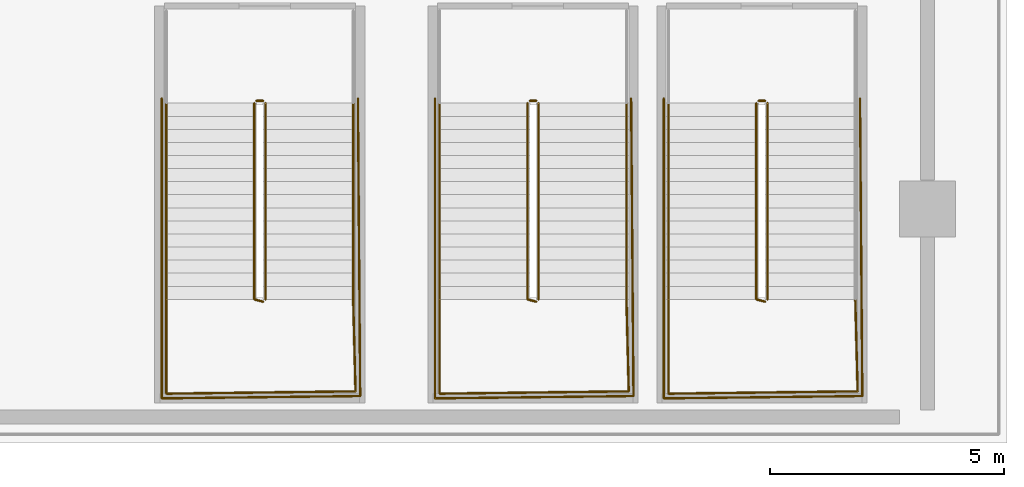
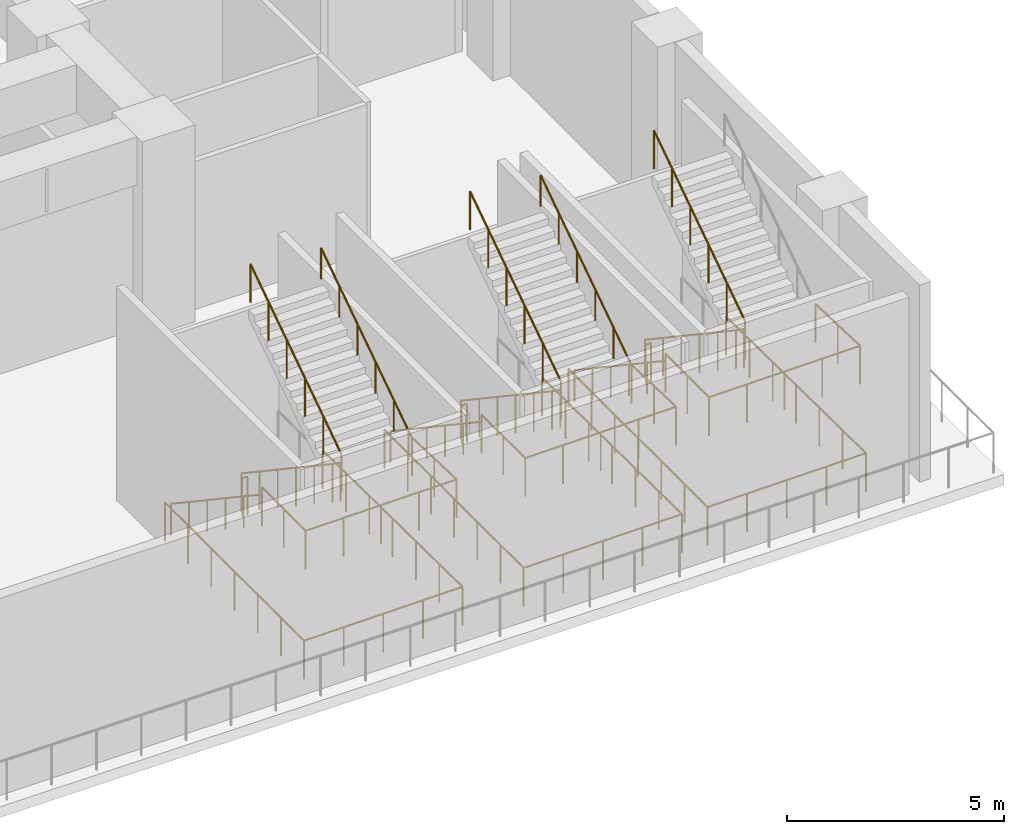
# One storey, part 24 of 27: 20 railings.
"""IFC4 building model written with IfcOpenShell, lengths in metres."""

from ifc_helpers import new_model, si_unit, direction, frame, origin, origin_2d, place, context, subcontext, project, spatial, circle, extrude, material, layer, layer_set, type_object, element, save


model = new_model("IFC4")

# Units and contexts
model_context = context("Model", 3, precision=1e-05, world=origin(), true_north=direction((0.0, 1.0)))
body_context = subcontext(model_context, "Body", "Model", "MODEL_VIEW")
ifc_project = project(units=[si_unit("LENGTHUNIT", "METRE"), si_unit("AREAUNIT", "SQUARE_METRE"), si_unit("VOLUMEUNIT", "CUBIC_METRE"), si_unit("PLANEANGLEUNIT", "RADIAN"), si_unit("MASSUNIT", "GRAM", prefix="KILO")], contexts=[model_context])

# Site, building, storey
site_placement = place(None, origin())
site = spatial("IfcSite", under=ifc_project, at=site_placement, CompositionType="ELEMENT")
building_placement = place(site_placement, origin())
building = spatial("IfcBuilding", under=site, at=building_placement, Name="Ndaravel Arena Tower", CompositionType="ELEMENT")
storey_placement = place(building_placement, frame((0.0, 0.0, 24.0)))
storey = spatial("IfcBuildingStorey", under=building, at=storey_placement, Name="L04", CompositionType="ELEMENT", Elevation=24.0)

# Railings
ifc_material_1 = material(Name="Steel S355", Category="steel")
ifc_layer_1 = layer(ifc_material_1, 0.06005859375)
ifc_layer_set_1 = layer_set([ifc_layer_1], Name="Steel S355")
railing_type_1 = type_object("IfcRailingType", Name="RAIL-STAIR-GD1100", PredefinedType="GUARDRAIL", material=ifc_layer_set_1)
railing_1_placement = place(storey_placement, frame((67.8798828125, 7.27001953125, 0.1875)))
element("IfcRailing", 1, at=railing_1_placement, inside=storey, type_object=railing_type_1, Name="L04 ST-A04 stair guard 1", PredefinedType="GUARDRAIL", context=body_context, shape_type="SweptSolid", body=[
    extrude(circle(Radius=0.02392578125, at=origin_2d()), frame((0.0, 0.0, 1.076171875), z_axis=(0.0, -0.830904186295, 0.556415522067), x_axis=(1.0, 0.0, 0.0)), (0.0, 0.0, 1.0), 5.0546875),
    extrude(circle(Radius=0.02392578125, at=origin_2d()), frame((0.0, -4.199951171875, 3.888671875), z_axis=(0.967074537263, -0.25449329928, 0.0), x_axis=(0.25449329928, 0.967074537263, 0.0)), (0.0, 0.0, 1.0), 0.19677734375),
    extrude(circle(Radius=0.02099609375, at=origin_2d()), origin(), (0.0, 0.0, 1.0), 1.052001953125),
    extrude(circle(Radius=0.02099609375, at=origin_2d()), frame((0.0, -0.840087890625, 0.5625)), (0.0, 0.0, 1.0), 1.052001953125),
    extrude(circle(Radius=0.02099609375, at=origin_2d()), frame((0.0, -1.679931640625, 1.125)), (0.0, 0.0, 1.0), 1.052001953125),
    extrude(circle(Radius=0.02099609375, at=origin_2d()), frame((0.0, -2.52001953125, 1.6875)), (0.0, 0.0, 1.0), 1.052001953125),
    extrude(circle(Radius=0.02099609375, at=origin_2d()), frame((0.0, -3.35986328125, 2.25)), (0.0, 0.0, 1.0), 1.052001953125),
    extrude(circle(Radius=0.02099609375, at=origin_2d()), frame((0.0, -4.199951171875, 2.8125)), (0.0, 0.0, 1.0), 1.052001953125),
    extrude(circle(Radius=0.02099609375, at=origin_2d()), frame((0.190185546875, -4.25, 2.8125)), (0.0, 0.0, 1.0), 1.052001953125),
])
railing_2_placement = place(storey_placement, frame((66.0, 3.070068359375, 3.0)))
element("IfcRailing", 2, at=railing_2_placement, inside=storey, type_object=railing_type_1, Name="L04 ST-A04 stair guard 2", PredefinedType="GUARDRAIL", context=body_context, shape_type="SweptSolid", body=[
    extrude(circle(Radius=0.02392578125, at=origin_2d()), frame((0.0, 0.0, 1.076171875), z_axis=(0.0, -1.0, 0.0), x_axis=(1.0, 0.0, 0.0)), (0.0, 0.0, 1.0), 2.02001953125),
    extrude(circle(Radius=0.02392578125, at=origin_2d()), frame((0.0, -2.02001953125, 1.076171875), z_axis=(0.999923653774, 0.012356642897, 0.0), x_axis=(-0.012356642897, 0.999923653774, 0.0)), (0.0, 0.0, 1.0), 4.05029296875),
    extrude(circle(Radius=0.02392578125, at=origin_2d()), frame((4.050048828125, -1.969970703125, 1.076171875), z_axis=(-0.025397679083, 0.999677426922, 0.0), x_axis=(-0.999677426922, -0.025397679083, 0.0)), (0.0, 0.0, 1.0), 1.970703125),
    extrude(circle(Radius=0.02099609375, at=origin_2d()), origin(), (0.0, 0.0, 1.0), 1.052001953125),
    extrude(circle(Radius=0.02099609375, at=origin_2d()), frame((0.0, -1.010009765625, 0.0)), (0.0, 0.0, 1.0), 1.052001953125),
    extrude(circle(Radius=0.02099609375, at=origin_2d()), frame((0.0, -2.02001953125, 0.0)), (0.0, 0.0, 1.0), 1.052001953125),
    extrude(circle(Radius=0.02099609375, at=origin_2d()), frame((1.012451171875, -2.007568359375, 0.0)), (0.0, 0.0, 1.0), 1.052001953125),
    extrude(circle(Radius=0.02099609375, at=origin_2d()), frame((2.02490234375, -1.9951171875, 0.0)), (0.0, 0.0, 1.0), 1.052001953125),
    extrude(circle(Radius=0.02099609375, at=origin_2d()), frame((3.03759765625, -1.982421875, 0.0)), (0.0, 0.0, 1.0), 1.052001953125),
    extrude(circle(Radius=0.02099609375, at=origin_2d()), frame((4.050048828125, -1.969970703125, 0.0)), (0.0, 0.0, 1.0), 1.052001953125),
    extrude(circle(Radius=0.02099609375, at=origin_2d()), frame((4.02490234375, -0.98486328125, 0.0)), (0.0, 0.0, 1.0), 1.052001953125),
    extrude(circle(Radius=0.02099609375, at=origin_2d()), frame((4.0, 0.0, 0.0)), (0.0, 0.0, 1.0), 1.052001953125),
])
railing_3_placement = place(storey_placement, frame((68.1201171875, 3.070068359375, 3.1875)))
element("IfcRailing", 3, at=railing_3_placement, inside=storey, type_object=railing_type_1, Name="L04 ST-A04 stair guard 3", PredefinedType="GUARDRAIL", context=body_context, shape_type="SweptSolid", body=[
    extrude(circle(Radius=0.02392578125, at=origin_2d()), frame((0.0, 0.0, 1.076171875), z_axis=(0.0, 0.830904186295, 0.556415522067), x_axis=(-1.0, 0.0, 0.0)), (0.0, 0.0, 1.0), 5.0546875),
    extrude(circle(Radius=0.02099609375, at=origin_2d()), origin(), (0.0, 0.0, 1.0), 1.052001953125),
    extrude(circle(Radius=0.02099609375, at=origin_2d()), frame((0.0, 0.840087890625, 0.5625)), (0.0, 0.0, 1.0), 1.052001953125),
    extrude(circle(Radius=0.02099609375, at=origin_2d()), frame((0.0, 1.679931640625, 1.125)), (0.0, 0.0, 1.0), 1.052001953125),
    extrude(circle(Radius=0.02099609375, at=origin_2d()), frame((0.0, 2.52001953125, 1.6875)), (0.0, 0.0, 1.0), 1.052001953125),
    extrude(circle(Radius=0.02099609375, at=origin_2d()), frame((0.0, 3.35986328125, 2.25)), (0.0, 0.0, 1.0), 1.052001953125),
    extrude(circle(Radius=0.02099609375, at=origin_2d()), frame((0.0, 4.199951171875, 2.8125)), (0.0, 0.0, 1.0), 1.052001953125),
])
railing_4_placement = place(storey_placement, frame((67.929931640625, 7.320068359375, 0.0)))
element("IfcRailing", 4, at=railing_4_placement, inside=storey, type_object=railing_type_1, Name="L04 ST-A04 stair guard 4", PredefinedType="GUARDRAIL", context=body_context, shape_type="SweptSolid", body=[
    extrude(circle(Radius=0.02392578125, at=origin_2d()), frame((0.0, 0.0, 1.076171875), z_axis=(1.0, 0.0, 0.0), x_axis=(0.0, 1.0, 0.0)), (0.0, 0.0, 1.0), 0.14013671875),
    extrude(circle(Radius=0.02099609375, at=origin_2d()), origin(), (0.0, 0.0, 1.0), 1.052001953125),
    extrude(circle(Radius=0.02099609375, at=origin_2d()), frame((0.14013671875, 0.0, 0.0)), (0.0, 0.0, 1.0), 1.052001953125),
])
railing_5_placement = place(storey_placement, frame((65.89990234375, 7.3701171875, 0.0)))
element("IfcRailing", 5, at=railing_5_placement, inside=storey, type_object=railing_type_1, Name="L04 ST-A04 stair guard 7", PredefinedType="GUARDRAIL", context=body_context, shape_type="SweptSolid", body=[
    extrude(circle(Radius=0.02392578125, at=origin_2d()), frame((0.0, 0.0, 1.076171875), z_axis=(0.0, -1.0, 0.0), x_axis=(1.0, 0.0, 0.0)), (0.0, 0.0, 1.0), 6.420166015625),
    extrude(circle(Radius=0.02392578125, at=origin_2d()), frame((0.0, -6.420166015625, 1.076171875), z_axis=(0.999930667828, 0.011775378384, 0.0), x_axis=(-0.011775378384, 0.999930667828, 0.0)), (0.0, 0.0, 1.0), 4.250244140625),
    extrude(circle(Radius=0.02392578125, at=origin_2d()), frame((4.25, -6.3701171875, 1.076171875), z_axis=(-0.007818249469, 0.999969437021, 0.0), x_axis=(-0.999969437021, -0.007818249469, 0.0)), (0.0, 0.0, 1.0), 6.370361328125),
    extrude(circle(Radius=0.02099609375, at=origin_2d()), origin(), (0.0, 0.0, 1.0), 1.052001953125),
    extrude(circle(Radius=0.02099609375, at=origin_2d()), frame((0.0, -1.070068359375, 0.0)), (0.0, 0.0, 1.0), 1.052001953125),
    extrude(circle(Radius=0.02099609375, at=origin_2d()), frame((0.0, -2.14013671875, 0.0)), (0.0, 0.0, 1.0), 1.052001953125),
    extrude(circle(Radius=0.02099609375, at=origin_2d()), frame((0.0, -3.2099609375, 0.0)), (0.0, 0.0, 1.0), 1.052001953125),
    extrude(circle(Radius=0.02099609375, at=origin_2d()), frame((0.0, -4.280029296875, 0.0)), (0.0, 0.0, 1.0), 1.052001953125),
    extrude(circle(Radius=0.02099609375, at=origin_2d()), frame((0.0, -5.35009765625, 0.0)), (0.0, 0.0, 1.0), 1.052001953125),
    extrude(circle(Radius=0.02099609375, at=origin_2d()), frame((0.0, -6.420166015625, 0.0)), (0.0, 0.0, 1.0), 1.052001953125),
    extrude(circle(Radius=0.02099609375, at=origin_2d()), frame((1.0625, -6.40771484375, 0.0)), (0.0, 0.0, 1.0), 1.052001953125),
    extrude(circle(Radius=0.02099609375, at=origin_2d()), frame((2.125, -6.39501953125, 0.0)), (0.0, 0.0, 1.0), 1.052001953125),
    extrude(circle(Radius=0.02099609375, at=origin_2d()), frame((3.1875, -6.382568359375, 0.0)), (0.0, 0.0, 1.0), 1.052001953125),
    extrude(circle(Radius=0.02099609375, at=origin_2d()), frame((4.25, -6.3701171875, 0.0)), (0.0, 0.0, 1.0), 1.052001953125),
    extrude(circle(Radius=0.02099609375, at=origin_2d()), frame((4.24169921875, -5.308349609375, 0.0)), (0.0, 0.0, 1.0), 1.052001953125),
    extrude(circle(Radius=0.02099609375, at=origin_2d()), frame((4.2333984375, -4.246826171875, 0.0)), (0.0, 0.0, 1.0), 1.052001953125),
    extrude(circle(Radius=0.02099609375, at=origin_2d()), frame((4.22509765625, -3.18505859375, 0.0)), (0.0, 0.0, 1.0), 1.052001953125),
    extrude(circle(Radius=0.02099609375, at=origin_2d()), frame((4.216796875, -2.123291015625, 0.0)), (0.0, 0.0, 1.0), 1.052001953125),
    extrude(circle(Radius=0.02099609375, at=origin_2d()), frame((4.20849609375, -1.061767578125, 0.0)), (0.0, 0.0, 1.0), 1.052001953125),
    extrude(circle(Radius=0.02099609375, at=origin_2d()), frame((4.2001953125, 0.0, 0.0)), (0.0, 0.0, 1.0), 1.052001953125),
])
railing_6_placement = place(storey_placement, frame((73.72998046875, 7.27001953125, 0.1875)))
element("IfcRailing", 6, at=railing_6_placement, inside=storey, type_object=railing_type_1, Name="L04 ST-A05 stair guard 1", PredefinedType="GUARDRAIL", context=body_context, shape_type="SweptSolid", body=[
    extrude(circle(Radius=0.02392578125, at=origin_2d()), frame((0.0, 0.0, 1.076171875), z_axis=(0.0, -0.830904186295, 0.556415522067), x_axis=(1.0, 0.0, 0.0)), (0.0, 0.0, 1.0), 5.0546875),
    extrude(circle(Radius=0.02392578125, at=origin_2d()), frame((0.0, -4.199951171875, 3.888671875), z_axis=(0.966993988697, -0.254799187253, 0.0), x_axis=(0.254799187253, 0.966993988697, 0.0)), (0.0, 0.0, 1.0), 0.196533203125),
    extrude(circle(Radius=0.02099609375, at=origin_2d()), origin(), (0.0, 0.0, 1.0), 1.052001953125),
    extrude(circle(Radius=0.02099609375, at=origin_2d()), frame((0.0, -0.840087890625, 0.5625)), (0.0, 0.0, 1.0), 1.052001953125),
    extrude(circle(Radius=0.02099609375, at=origin_2d()), frame((0.0, -1.679931640625, 1.125)), (0.0, 0.0, 1.0), 1.052001953125),
    extrude(circle(Radius=0.02099609375, at=origin_2d()), frame((0.0, -2.52001953125, 1.6875)), (0.0, 0.0, 1.0), 1.052001953125),
    extrude(circle(Radius=0.02099609375, at=origin_2d()), frame((0.0, -3.35986328125, 2.25)), (0.0, 0.0, 1.0), 1.052001953125),
    extrude(circle(Radius=0.02099609375, at=origin_2d()), frame((0.0, -4.199951171875, 2.8125)), (0.0, 0.0, 1.0), 1.052001953125),
    extrude(circle(Radius=0.02099609375, at=origin_2d()), frame((0.18994140625, -4.25, 2.8125)), (0.0, 0.0, 1.0), 1.052001953125),
])
railing_7_placement = place(storey_placement, frame((71.85009765625, 3.070068359375, 3.0)))
element("IfcRailing", 7, at=railing_7_placement, inside=storey, type_object=railing_type_1, Name="L04 ST-A05 stair guard 2", PredefinedType="GUARDRAIL", context=body_context, shape_type="SweptSolid", body=[
    extrude(circle(Radius=0.02392578125, at=origin_2d()), frame((0.0, 0.0, 1.076171875), z_axis=(0.0, -1.0, 0.0), x_axis=(1.0, 0.0, 0.0)), (0.0, 0.0, 1.0), 2.02001953125),
    extrude(circle(Radius=0.02392578125, at=origin_2d()), frame((0.0, -2.02001953125, 1.076171875), z_axis=(0.99992364457, 0.012357387698, 0.0), x_axis=(-0.012357387698, 0.99992364457, 0.0)), (0.0, 0.0, 1.0), 4.050048828125),
    extrude(circle(Radius=0.02392578125, at=origin_2d()), frame((4.0498046875, -1.969970703125, 1.076171875), z_axis=(-0.025273867297, 0.999680564797, 0.0), x_axis=(-0.999680564797, -0.025273867297, 0.0)), (0.0, 0.0, 1.0), 1.970703125),
    extrude(circle(Radius=0.02099609375, at=origin_2d()), origin(), (0.0, 0.0, 1.0), 1.052001953125),
    extrude(circle(Radius=0.02099609375, at=origin_2d()), frame((0.0, -1.010009765625, 0.0)), (0.0, 0.0, 1.0), 1.052001953125),
    extrude(circle(Radius=0.02099609375, at=origin_2d()), frame((0.0, -2.02001953125, 0.0)), (0.0, 0.0, 1.0), 1.052001953125),
    extrude(circle(Radius=0.02099609375, at=origin_2d()), frame((1.012451171875, -2.007568359375, 0.0)), (0.0, 0.0, 1.0), 1.052001953125),
    extrude(circle(Radius=0.02099609375, at=origin_2d()), frame((2.02490234375, -1.9951171875, 0.0)), (0.0, 0.0, 1.0), 1.052001953125),
    extrude(circle(Radius=0.02099609375, at=origin_2d()), frame((3.037353515625, -1.982421875, 0.0)), (0.0, 0.0, 1.0), 1.052001953125),
    extrude(circle(Radius=0.02099609375, at=origin_2d()), frame((4.0498046875, -1.969970703125, 0.0)), (0.0, 0.0, 1.0), 1.052001953125),
    extrude(circle(Radius=0.02099609375, at=origin_2d()), frame((4.02490234375, -0.98486328125, 0.0)), (0.0, 0.0, 1.0), 1.052001953125),
    extrude(circle(Radius=0.02099609375, at=origin_2d()), frame((4.0, 0.0, 0.0)), (0.0, 0.0, 1.0), 1.052001953125),
])
railing_8_placement = place(storey_placement, frame((73.969970703125, 3.070068359375, 3.1875)))
element("IfcRailing", 8, at=railing_8_placement, inside=storey, type_object=railing_type_1, Name="L04 ST-A05 stair guard 3", PredefinedType="GUARDRAIL", context=body_context, shape_type="SweptSolid", body=[
    extrude(circle(Radius=0.02392578125, at=origin_2d()), frame((0.0, 0.0, 1.076171875), z_axis=(0.0, 0.830904186295, 0.556415522067), x_axis=(-1.0, 0.0, 0.0)), (0.0, 0.0, 1.0), 5.0546875),
    extrude(circle(Radius=0.02099609375, at=origin_2d()), origin(), (0.0, 0.0, 1.0), 1.052001953125),
    extrude(circle(Radius=0.02099609375, at=origin_2d()), frame((0.0, 0.840087890625, 0.5625)), (0.0, 0.0, 1.0), 1.052001953125),
    extrude(circle(Radius=0.02099609375, at=origin_2d()), frame((0.0, 1.679931640625, 1.125)), (0.0, 0.0, 1.0), 1.052001953125),
    extrude(circle(Radius=0.02099609375, at=origin_2d()), frame((0.0, 2.52001953125, 1.6875)), (0.0, 0.0, 1.0), 1.052001953125),
    extrude(circle(Radius=0.02099609375, at=origin_2d()), frame((0.0, 3.35986328125, 2.25)), (0.0, 0.0, 1.0), 1.052001953125),
    extrude(circle(Radius=0.02099609375, at=origin_2d()), frame((0.0, 4.199951171875, 2.8125)), (0.0, 0.0, 1.0), 1.052001953125),
])
railing_9_placement = place(storey_placement, frame((73.780029296875, 7.320068359375, 0.0)))
element("IfcRailing", 9, at=railing_9_placement, inside=storey, type_object=railing_type_1, Name="L04 ST-A05 stair guard 4", PredefinedType="GUARDRAIL", context=body_context, shape_type="SweptSolid", body=[
    extrude(circle(Radius=0.02392578125, at=origin_2d()), frame((0.0, 0.0, 1.076171875), z_axis=(1.0, 0.0, 0.0), x_axis=(0.0, 1.0, 0.0)), (0.0, 0.0, 1.0), 0.139892578125),
    extrude(circle(Radius=0.02099609375, at=origin_2d()), origin(), (0.0, 0.0, 1.0), 1.052001953125),
    extrude(circle(Radius=0.02099609375, at=origin_2d()), frame((0.139892578125, 0.0, 0.0)), (0.0, 0.0, 1.0), 1.052001953125),
])
railing_10_placement = place(storey_placement, frame((71.75, 7.3701171875, 0.0)))
element("IfcRailing", 10, at=railing_10_placement, inside=storey, type_object=railing_type_1, Name="L04 ST-A05 stair guard 7", PredefinedType="GUARDRAIL", context=body_context, shape_type="SweptSolid", body=[
    extrude(circle(Radius=0.02392578125, at=origin_2d()), frame((0.0, 0.0, 1.076171875), z_axis=(0.0, -1.0, 0.0), x_axis=(1.0, 0.0, 0.0)), (0.0, 0.0, 1.0), 6.420166015625),
    extrude(circle(Radius=0.02392578125, at=origin_2d()), frame((0.0, -6.420166015625, 1.076171875), z_axis=(0.999930667828, 0.011775378384, 0.0), x_axis=(-0.011775378384, 0.999930667828, 0.0)), (0.0, 0.0, 1.0), 4.250244140625),
    extrude(circle(Radius=0.02392578125, at=origin_2d()), frame((4.25, -6.3701171875, 1.076171875), z_axis=(-0.007856571862, 0.999969136663, 0.0), x_axis=(-0.999969136663, -0.007856571862, 0.0)), (0.0, 0.0, 1.0), 6.370361328125),
    extrude(circle(Radius=0.02099609375, at=origin_2d()), origin(), (0.0, 0.0, 1.0), 1.052001953125),
    extrude(circle(Radius=0.02099609375, at=origin_2d()), frame((0.0, -1.070068359375, 0.0)), (0.0, 0.0, 1.0), 1.052001953125),
    extrude(circle(Radius=0.02099609375, at=origin_2d()), frame((0.0, -2.14013671875, 0.0)), (0.0, 0.0, 1.0), 1.052001953125),
    extrude(circle(Radius=0.02099609375, at=origin_2d()), frame((0.0, -3.2099609375, 0.0)), (0.0, 0.0, 1.0), 1.052001953125),
    extrude(circle(Radius=0.02099609375, at=origin_2d()), frame((0.0, -4.280029296875, 0.0)), (0.0, 0.0, 1.0), 1.052001953125),
    extrude(circle(Radius=0.02099609375, at=origin_2d()), frame((0.0, -5.35009765625, 0.0)), (0.0, 0.0, 1.0), 1.052001953125),
    extrude(circle(Radius=0.02099609375, at=origin_2d()), frame((0.0, -6.420166015625, 0.0)), (0.0, 0.0, 1.0), 1.052001953125),
    extrude(circle(Radius=0.02099609375, at=origin_2d()), frame((1.0625, -6.40771484375, 0.0)), (0.0, 0.0, 1.0), 1.052001953125),
    extrude(circle(Radius=0.02099609375, at=origin_2d()), frame((2.125, -6.39501953125, 0.0)), (0.0, 0.0, 1.0), 1.052001953125),
    extrude(circle(Radius=0.02099609375, at=origin_2d()), frame((3.1875, -6.382568359375, 0.0)), (0.0, 0.0, 1.0), 1.052001953125),
    extrude(circle(Radius=0.02099609375, at=origin_2d()), frame((4.25, -6.3701171875, 0.0)), (0.0, 0.0, 1.0), 1.052001953125),
    extrude(circle(Radius=0.02099609375, at=origin_2d()), frame((4.24169921875, -5.308349609375, 0.0)), (0.0, 0.0, 1.0), 1.052001953125),
    extrude(circle(Radius=0.02099609375, at=origin_2d()), frame((4.2333984375, -4.246826171875, 0.0)), (0.0, 0.0, 1.0), 1.052001953125),
    extrude(circle(Radius=0.02099609375, at=origin_2d()), frame((4.22509765625, -3.18505859375, 0.0)), (0.0, 0.0, 1.0), 1.052001953125),
    extrude(circle(Radius=0.02099609375, at=origin_2d()), frame((4.216552734375, -2.123291015625, 0.0)), (0.0, 0.0, 1.0), 1.052001953125),
    extrude(circle(Radius=0.02099609375, at=origin_2d()), frame((4.208251953125, -1.061767578125, 0.0)), (0.0, 0.0, 1.0), 1.052001953125),
    extrude(circle(Radius=0.02099609375, at=origin_2d()), frame((4.199951171875, 0.0, 0.0)), (0.0, 0.0, 1.0), 1.052001953125),
])
railing_11_placement = place(storey_placement, frame((78.6298828125, 7.27001953125, 0.1875)))
element("IfcRailing", 11, at=railing_11_placement, inside=storey, type_object=railing_type_1, Name="L04 ST-A06 stair guard 1", PredefinedType="GUARDRAIL", context=body_context, shape_type="SweptSolid", body=[
    extrude(circle(Radius=0.02392578125, at=origin_2d()), frame((0.0, 0.0, 1.076171875), z_axis=(0.0, -0.830904186295, 0.556415522067), x_axis=(1.0, 0.0, 0.0)), (0.0, 0.0, 1.0), 5.0546875),
    extrude(circle(Radius=0.02392578125, at=origin_2d()), frame((0.0, -4.199951171875, 3.888671875), z_axis=(0.967074537263, -0.25449329928, 0.0), x_axis=(0.25449329928, 0.967074537263, 0.0)), (0.0, 0.0, 1.0), 0.19677734375),
    extrude(circle(Radius=0.02099609375, at=origin_2d()), origin(), (0.0, 0.0, 1.0), 1.052001953125),
    extrude(circle(Radius=0.02099609375, at=origin_2d()), frame((0.0, -0.840087890625, 0.5625)), (0.0, 0.0, 1.0), 1.052001953125),
    extrude(circle(Radius=0.02099609375, at=origin_2d()), frame((0.0, -1.679931640625, 1.125)), (0.0, 0.0, 1.0), 1.052001953125),
    extrude(circle(Radius=0.02099609375, at=origin_2d()), frame((0.0, -2.52001953125, 1.6875)), (0.0, 0.0, 1.0), 1.052001953125),
    extrude(circle(Radius=0.02099609375, at=origin_2d()), frame((0.0, -3.35986328125, 2.25)), (0.0, 0.0, 1.0), 1.052001953125),
    extrude(circle(Radius=0.02099609375, at=origin_2d()), frame((0.0, -4.199951171875, 2.8125)), (0.0, 0.0, 1.0), 1.052001953125),
    extrude(circle(Radius=0.02099609375, at=origin_2d()), frame((0.190185546875, -4.25, 2.8125)), (0.0, 0.0, 1.0), 1.052001953125),
])
railing_12_placement = place(storey_placement, frame((76.75, 3.070068359375, 3.0)))
element("IfcRailing", 12, at=railing_12_placement, inside=storey, type_object=railing_type_1, Name="L04 ST-A06 stair guard 2", PredefinedType="GUARDRAIL", context=body_context, shape_type="SweptSolid", body=[
    extrude(circle(Radius=0.02392578125, at=origin_2d()), frame((0.0, 0.0, 1.076171875), z_axis=(0.0, -1.0, 0.0), x_axis=(1.0, 0.0, 0.0)), (0.0, 0.0, 1.0), 2.02001953125),
    extrude(circle(Radius=0.02392578125, at=origin_2d()), frame((0.0, -2.02001953125, 1.076171875), z_axis=(0.999923653774, 0.012356642897, 0.0), x_axis=(-0.012356642897, 0.999923653774, 0.0)), (0.0, 0.0, 1.0), 4.05029296875),
    extrude(circle(Radius=0.02392578125, at=origin_2d()), frame((4.050048828125, -1.969970703125, 1.076171875), z_axis=(-0.025397679083, 0.999677426922, 0.0), x_axis=(-0.999677426922, -0.025397679083, 0.0)), (0.0, 0.0, 1.0), 1.970703125),
    extrude(circle(Radius=0.02099609375, at=origin_2d()), origin(), (0.0, 0.0, 1.0), 1.052001953125),
    extrude(circle(Radius=0.02099609375, at=origin_2d()), frame((0.0, -1.010009765625, 0.0)), (0.0, 0.0, 1.0), 1.052001953125),
    extrude(circle(Radius=0.02099609375, at=origin_2d()), frame((0.0, -2.02001953125, 0.0)), (0.0, 0.0, 1.0), 1.052001953125),
    extrude(circle(Radius=0.02099609375, at=origin_2d()), frame((1.012451171875, -2.007568359375, 0.0)), (0.0, 0.0, 1.0), 1.052001953125),
    extrude(circle(Radius=0.02099609375, at=origin_2d()), frame((2.02490234375, -1.9951171875, 0.0)), (0.0, 0.0, 1.0), 1.052001953125),
    extrude(circle(Radius=0.02099609375, at=origin_2d()), frame((3.03759765625, -1.982421875, 0.0)), (0.0, 0.0, 1.0), 1.052001953125),
    extrude(circle(Radius=0.02099609375, at=origin_2d()), frame((4.050048828125, -1.969970703125, 0.0)), (0.0, 0.0, 1.0), 1.052001953125),
    extrude(circle(Radius=0.02099609375, at=origin_2d()), frame((4.02490234375, -0.98486328125, 0.0)), (0.0, 0.0, 1.0), 1.052001953125),
    extrude(circle(Radius=0.02099609375, at=origin_2d()), frame((4.0, 0.0, 0.0)), (0.0, 0.0, 1.0), 1.052001953125),
])
railing_13_placement = place(storey_placement, frame((78.8701171875, 3.070068359375, 3.1875)))
element("IfcRailing", 13, at=railing_13_placement, inside=storey, type_object=railing_type_1, Name="L04 ST-A06 stair guard 3", PredefinedType="GUARDRAIL", context=body_context, shape_type="SweptSolid", body=[
    extrude(circle(Radius=0.02392578125, at=origin_2d()), frame((0.0, 0.0, 1.076171875), z_axis=(0.0, 0.830904186295, 0.556415522067), x_axis=(-1.0, 0.0, 0.0)), (0.0, 0.0, 1.0), 5.0546875),
    extrude(circle(Radius=0.02099609375, at=origin_2d()), origin(), (0.0, 0.0, 1.0), 1.052001953125),
    extrude(circle(Radius=0.02099609375, at=origin_2d()), frame((0.0, 0.840087890625, 0.5625)), (0.0, 0.0, 1.0), 1.052001953125),
    extrude(circle(Radius=0.02099609375, at=origin_2d()), frame((0.0, 1.679931640625, 1.125)), (0.0, 0.0, 1.0), 1.052001953125),
    extrude(circle(Radius=0.02099609375, at=origin_2d()), frame((0.0, 2.52001953125, 1.6875)), (0.0, 0.0, 1.0), 1.052001953125),
    extrude(circle(Radius=0.02099609375, at=origin_2d()), frame((0.0, 3.35986328125, 2.25)), (0.0, 0.0, 1.0), 1.052001953125),
    extrude(circle(Radius=0.02099609375, at=origin_2d()), frame((0.0, 4.199951171875, 2.8125)), (0.0, 0.0, 1.0), 1.052001953125),
])
railing_14_placement = place(storey_placement, frame((78.679931640625, 7.320068359375, 0.0)))
element("IfcRailing", 14, at=railing_14_placement, inside=storey, type_object=railing_type_1, Name="L04 ST-A06 stair guard 4", PredefinedType="GUARDRAIL", context=body_context, shape_type="SweptSolid", body=[
    extrude(circle(Radius=0.02392578125, at=origin_2d()), frame((0.0, 0.0, 1.076171875), z_axis=(1.0, 0.0, 0.0), x_axis=(0.0, 1.0, 0.0)), (0.0, 0.0, 1.0), 0.14013671875),
    extrude(circle(Radius=0.02099609375, at=origin_2d()), origin(), (0.0, 0.0, 1.0), 1.052001953125),
    extrude(circle(Radius=0.02099609375, at=origin_2d()), frame((0.14013671875, 0.0, 0.0)), (0.0, 0.0, 1.0), 1.052001953125),
])
railing_15_placement = place(storey_placement, frame((76.64990234375, 7.3701171875, 0.0)))
element("IfcRailing", 15, at=railing_15_placement, inside=storey, type_object=railing_type_1, Name="L04 ST-A06 stair guard 7", PredefinedType="GUARDRAIL", context=body_context, shape_type="SweptSolid", body=[
    extrude(circle(Radius=0.02392578125, at=origin_2d()), frame((0.0, 0.0, 1.076171875), z_axis=(0.0, -1.0, 0.0), x_axis=(1.0, 0.0, 0.0)), (0.0, 0.0, 1.0), 6.420166015625),
    extrude(circle(Radius=0.02392578125, at=origin_2d()), frame((0.0, -6.420166015625, 1.076171875), z_axis=(0.999930667828, 0.011775378384, 0.0), x_axis=(-0.011775378384, 0.999930667828, 0.0)), (0.0, 0.0, 1.0), 4.250244140625),
    extrude(circle(Radius=0.02392578125, at=origin_2d()), frame((4.25, -6.3701171875, 1.076171875), z_axis=(-0.007818249469, 0.999969437021, 0.0), x_axis=(-0.999969437021, -0.007818249469, 0.0)), (0.0, 0.0, 1.0), 6.370361328125),
    extrude(circle(Radius=0.02099609375, at=origin_2d()), origin(), (0.0, 0.0, 1.0), 1.052001953125),
    extrude(circle(Radius=0.02099609375, at=origin_2d()), frame((0.0, -1.070068359375, 0.0)), (0.0, 0.0, 1.0), 1.052001953125),
    extrude(circle(Radius=0.02099609375, at=origin_2d()), frame((0.0, -2.14013671875, 0.0)), (0.0, 0.0, 1.0), 1.052001953125),
    extrude(circle(Radius=0.02099609375, at=origin_2d()), frame((0.0, -3.2099609375, 0.0)), (0.0, 0.0, 1.0), 1.052001953125),
    extrude(circle(Radius=0.02099609375, at=origin_2d()), frame((0.0, -4.280029296875, 0.0)), (0.0, 0.0, 1.0), 1.052001953125),
    extrude(circle(Radius=0.02099609375, at=origin_2d()), frame((0.0, -5.35009765625, 0.0)), (0.0, 0.0, 1.0), 1.052001953125),
    extrude(circle(Radius=0.02099609375, at=origin_2d()), frame((0.0, -6.420166015625, 0.0)), (0.0, 0.0, 1.0), 1.052001953125),
    extrude(circle(Radius=0.02099609375, at=origin_2d()), frame((1.0625, -6.40771484375, 0.0)), (0.0, 0.0, 1.0), 1.052001953125),
    extrude(circle(Radius=0.02099609375, at=origin_2d()), frame((2.125, -6.39501953125, 0.0)), (0.0, 0.0, 1.0), 1.052001953125),
    extrude(circle(Radius=0.02099609375, at=origin_2d()), frame((3.1875, -6.382568359375, 0.0)), (0.0, 0.0, 1.0), 1.052001953125),
    extrude(circle(Radius=0.02099609375, at=origin_2d()), frame((4.25, -6.3701171875, 0.0)), (0.0, 0.0, 1.0), 1.052001953125),
    extrude(circle(Radius=0.02099609375, at=origin_2d()), frame((4.24169921875, -5.308349609375, 0.0)), (0.0, 0.0, 1.0), 1.052001953125),
    extrude(circle(Radius=0.02099609375, at=origin_2d()), frame((4.2333984375, -4.246826171875, 0.0)), (0.0, 0.0, 1.0), 1.052001953125),
    extrude(circle(Radius=0.02099609375, at=origin_2d()), frame((4.22509765625, -3.18505859375, 0.0)), (0.0, 0.0, 1.0), 1.052001953125),
    extrude(circle(Radius=0.02099609375, at=origin_2d()), frame((4.216796875, -2.123291015625, 0.0)), (0.0, 0.0, 1.0), 1.052001953125),
    extrude(circle(Radius=0.02099609375, at=origin_2d()), frame((4.20849609375, -1.061767578125, 0.0)), (0.0, 0.0, 1.0), 1.052001953125),
    extrude(circle(Radius=0.02099609375, at=origin_2d()), frame((4.2001953125, 0.0, 0.0)), (0.0, 0.0, 1.0), 1.052001953125),
])
ifc_material_2 = material(Name="Steel S355", Category="steel")
ifc_layer_2 = layer(ifc_material_2, 0.050048828125)
ifc_layer_set_2 = layer_set([ifc_layer_2], Name="Steel S355")
railing_type_2 = type_object("IfcRailingType", Name="RAIL-STAIR-HR920", PredefinedType="HANDRAIL", material=ifc_layer_set_2)
railing_16_placement = place(storey_placement, frame((66.0, 7.27001953125, 0.1875)))
element("IfcRailing", 16, at=railing_16_placement, inside=storey, type_object=railing_type_2, Name="L04 ST-A04 stair handrail 1", PredefinedType="HANDRAIL", context=body_context, shape_type="SweptSolid", body=[
    extrude(circle(Radius=0.02392578125, at=origin_2d()), frame((0.0, 0.0, 0.8759765625), z_axis=(0.0, -0.830904186295, 0.556415522067), x_axis=(1.0, 0.0, 0.0)), (0.0, 0.0, 1.0), 5.0546875),
    extrude(circle(Radius=0.02099609375, at=origin_2d()), origin(), (0.0, 0.0, 1.0), 0.851806640625),
    extrude(circle(Radius=0.02099609375, at=origin_2d()), frame((0.0, -0.840087890625, 0.5625)), (0.0, 0.0, 1.0), 0.851806640625),
    extrude(circle(Radius=0.02099609375, at=origin_2d()), frame((0.0, -1.679931640625, 1.125)), (0.0, 0.0, 1.0), 0.851806640625),
    extrude(circle(Radius=0.02099609375, at=origin_2d()), frame((0.0, -2.52001953125, 1.6875)), (0.0, 0.0, 1.0), 0.851806640625),
    extrude(circle(Radius=0.02099609375, at=origin_2d()), frame((0.0, -3.35986328125, 2.25)), (0.0, 0.0, 1.0), 0.851806640625),
    extrude(circle(Radius=0.02099609375, at=origin_2d()), frame((0.0, -4.199951171875, 2.8125)), (0.0, 0.0, 1.0), 0.851806640625),
])
railing_17_placement = place(storey_placement, frame((70.0, 3.070068359375, 3.1875)))
element("IfcRailing", 17, at=railing_17_placement, inside=storey, type_object=railing_type_2, Name="L04 ST-A04 stair handrail 2", PredefinedType="HANDRAIL", context=body_context, shape_type="SweptSolid", body=[
    extrude(circle(Radius=0.02392578125, at=origin_2d()), frame((0.0, 0.0, 0.8759765625), z_axis=(0.0, 0.830904186295, 0.556415522067), x_axis=(-1.0, 0.0, 0.0)), (0.0, 0.0, 1.0), 5.0546875),
    extrude(circle(Radius=0.02099609375, at=origin_2d()), origin(), (0.0, 0.0, 1.0), 0.851806640625),
    extrude(circle(Radius=0.02099609375, at=origin_2d()), frame((0.0, 0.840087890625, 0.5625)), (0.0, 0.0, 1.0), 0.851806640625),
    extrude(circle(Radius=0.02099609375, at=origin_2d()), frame((0.0, 1.679931640625, 1.125)), (0.0, 0.0, 1.0), 0.851806640625),
    extrude(circle(Radius=0.02099609375, at=origin_2d()), frame((0.0, 2.52001953125, 1.6875)), (0.0, 0.0, 1.0), 0.851806640625),
    extrude(circle(Radius=0.02099609375, at=origin_2d()), frame((0.0, 3.35986328125, 2.25)), (0.0, 0.0, 1.0), 0.851806640625),
    extrude(circle(Radius=0.02099609375, at=origin_2d()), frame((0.0, 4.199951171875, 2.8125)), (0.0, 0.0, 1.0), 0.851806640625),
])
railing_18_placement = place(storey_placement, frame((71.85009765625, 7.27001953125, 0.1875)))
element("IfcRailing", 18, at=railing_18_placement, inside=storey, type_object=railing_type_2, Name="L04 ST-A05 stair handrail 1", PredefinedType="HANDRAIL", context=body_context, shape_type="SweptSolid", body=[
    extrude(circle(Radius=0.02392578125, at=origin_2d()), frame((0.0, 0.0, 0.8759765625), z_axis=(0.0, -0.830904186295, 0.556415522067), x_axis=(1.0, 0.0, 0.0)), (0.0, 0.0, 1.0), 5.0546875),
    extrude(circle(Radius=0.02099609375, at=origin_2d()), origin(), (0.0, 0.0, 1.0), 0.851806640625),
    extrude(circle(Radius=0.02099609375, at=origin_2d()), frame((0.0, -0.840087890625, 0.5625)), (0.0, 0.0, 1.0), 0.851806640625),
    extrude(circle(Radius=0.02099609375, at=origin_2d()), frame((0.0, -1.679931640625, 1.125)), (0.0, 0.0, 1.0), 0.851806640625),
    extrude(circle(Radius=0.02099609375, at=origin_2d()), frame((0.0, -2.52001953125, 1.6875)), (0.0, 0.0, 1.0), 0.851806640625),
    extrude(circle(Radius=0.02099609375, at=origin_2d()), frame((0.0, -3.35986328125, 2.25)), (0.0, 0.0, 1.0), 0.851806640625),
    extrude(circle(Radius=0.02099609375, at=origin_2d()), frame((0.0, -4.199951171875, 2.8125)), (0.0, 0.0, 1.0), 0.851806640625),
])
railing_19_placement = place(storey_placement, frame((75.85009765625, 3.070068359375, 3.1875)))
element("IfcRailing", 19, at=railing_19_placement, inside=storey, type_object=railing_type_2, Name="L04 ST-A05 stair handrail 2", PredefinedType="HANDRAIL", context=body_context, shape_type="SweptSolid", body=[
    extrude(circle(Radius=0.02392578125, at=origin_2d()), frame((0.0, 0.0, 0.8759765625), z_axis=(0.0, 0.830904186295, 0.556415522067), x_axis=(-1.0, 0.0, 0.0)), (0.0, 0.0, 1.0), 5.0546875),
    extrude(circle(Radius=0.02099609375, at=origin_2d()), origin(), (0.0, 0.0, 1.0), 0.851806640625),
    extrude(circle(Radius=0.02099609375, at=origin_2d()), frame((0.0, 0.840087890625, 0.5625)), (0.0, 0.0, 1.0), 0.851806640625),
    extrude(circle(Radius=0.02099609375, at=origin_2d()), frame((0.0, 1.679931640625, 1.125)), (0.0, 0.0, 1.0), 0.851806640625),
    extrude(circle(Radius=0.02099609375, at=origin_2d()), frame((0.0, 2.52001953125, 1.6875)), (0.0, 0.0, 1.0), 0.851806640625),
    extrude(circle(Radius=0.02099609375, at=origin_2d()), frame((0.0, 3.35986328125, 2.25)), (0.0, 0.0, 1.0), 0.851806640625),
    extrude(circle(Radius=0.02099609375, at=origin_2d()), frame((0.0, 4.199951171875, 2.8125)), (0.0, 0.0, 1.0), 0.851806640625),
])
railing_20_placement = place(storey_placement, frame((76.75, 7.27001953125, 0.1875)))
element("IfcRailing", 20, at=railing_20_placement, inside=storey, type_object=railing_type_2, Name="L04 ST-A06 stair handrail 1", PredefinedType="HANDRAIL", context=body_context, shape_type="SweptSolid", body=[
    extrude(circle(Radius=0.02392578125, at=origin_2d()), frame((0.0, 0.0, 0.8759765625), z_axis=(0.0, -0.830904186295, 0.556415522067), x_axis=(1.0, 0.0, 0.0)), (0.0, 0.0, 1.0), 5.0546875),
    extrude(circle(Radius=0.02099609375, at=origin_2d()), origin(), (0.0, 0.0, 1.0), 0.851806640625),
    extrude(circle(Radius=0.02099609375, at=origin_2d()), frame((0.0, -0.840087890625, 0.5625)), (0.0, 0.0, 1.0), 0.851806640625),
    extrude(circle(Radius=0.02099609375, at=origin_2d()), frame((0.0, -1.679931640625, 1.125)), (0.0, 0.0, 1.0), 0.851806640625),
    extrude(circle(Radius=0.02099609375, at=origin_2d()), frame((0.0, -2.52001953125, 1.6875)), (0.0, 0.0, 1.0), 0.851806640625),
    extrude(circle(Radius=0.02099609375, at=origin_2d()), frame((0.0, -3.35986328125, 2.25)), (0.0, 0.0, 1.0), 0.851806640625),
    extrude(circle(Radius=0.02099609375, at=origin_2d()), frame((0.0, -4.199951171875, 2.8125)), (0.0, 0.0, 1.0), 0.851806640625),
])

save(model, "model.ifc")
